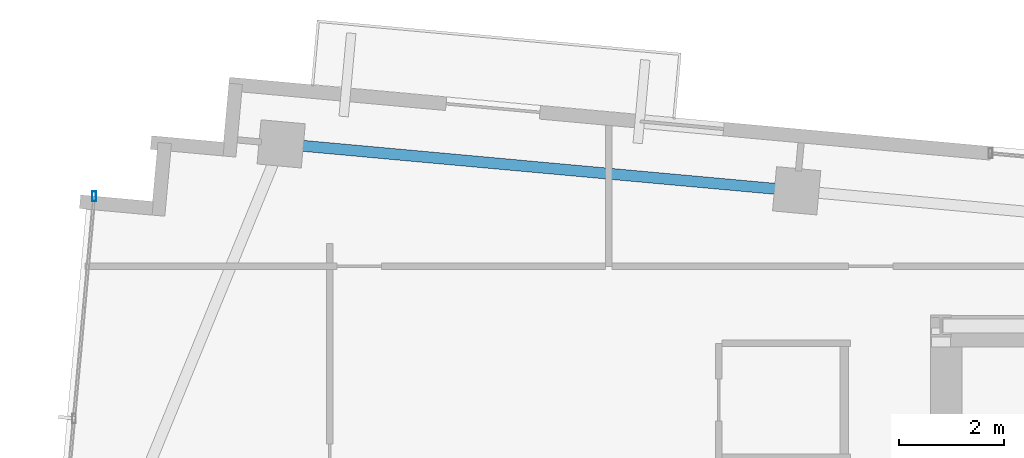
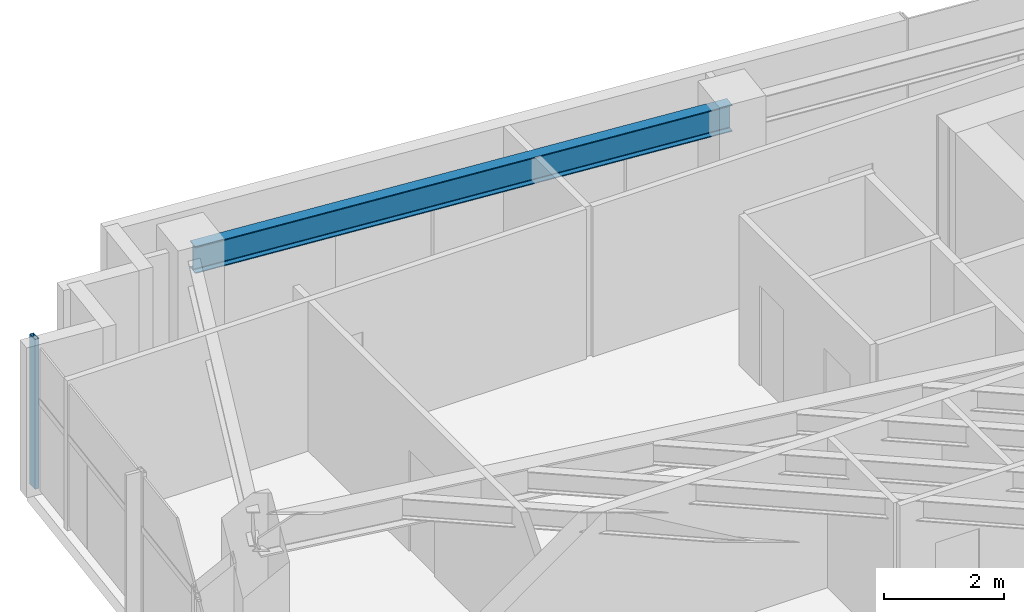
# One storey, part 9 of 22: 1 beam, 1 member, 1 element without a shape of its own.
"""IFC4 building model written with IfcOpenShell, lengths in metres."""

from ifc_helpers import new_model, si_unit, direction, frame, origin, origin_2d, place, context, subcontext, project, spatial, hollow_rectangle, i_section, extrude, source, transform, mapped, material, material_profile, profile_set, type_object, type_shapes, element, aggregate, save


model = new_model("IFC4")

# Units and contexts
model_context = context("Model", 3, precision=1e-05, world=origin(), true_north=direction((0.0, 1.0)))
body_context = subcontext(model_context, "Body", "Model", "MODEL_VIEW")
ifc_project = project(units=[si_unit("LENGTHUNIT", "METRE"), si_unit("AREAUNIT", "SQUARE_METRE"), si_unit("VOLUMEUNIT", "CUBIC_METRE"), si_unit("PLANEANGLEUNIT", "RADIAN"), si_unit("MASSUNIT", "GRAM", prefix="KILO")], contexts=[model_context])

# Site, building, storey
site_placement = place(None, origin())
site = spatial("IfcSite", under=ifc_project, at=site_placement, CompositionType="ELEMENT")
building_placement = place(site_placement, origin())
building = spatial("IfcBuilding", under=site, at=building_placement, Name="Astriad Promenade Condominiums", CompositionType="ELEMENT")
storey_placement = place(building_placement, frame((0.0, 0.0, 226.5)))
storey = spatial("IfcBuildingStorey", under=building, at=storey_placement, Name="L65", CompositionType="ELEMENT", Elevation=226.5)

# Beam
ifc_material_1 = material(Name="Steel ASTM A992 Grade 50", Category="steel")
ifc_material_profile_1 = material_profile(ifc_material_1, i_section(OverallWidth=0.210693359375, OverallDepth=0.53955078125, WebThickness=0.01171875, FlangeThickness=0.018798828125, FilletRadius=0.0166015625, at=origin_2d()), Name="W21X73")
ifc_profile_set_1 = profile_set([ifc_material_profile_1], Name="Steel ASTM A992 Grade 50")
beam_type = type_object("IfcBeamType", Name="STEEL SPANDREL BEAM W21X73", PredefinedType="SPANDREL", material=ifc_profile_set_1)
shared_shape_1 = source(origin(), body_context, "Body", "SweptSolid", [
    extrude(i_section(OverallWidth=0.210693359375, OverallDepth=0.53955078125, WebThickness=0.01171875, FlangeThickness=0.018798828125, FilletRadius=0.0166015625, at=origin_2d()), origin(), (0.0, 0.0, 1.0), 9.820068359375),
])
type_shapes(beam_type, [shared_shape_1])
beam_placement = place(storey_placement, frame((23.6005859375, 26.589111328125, 2.770263671875), z_axis=(-0.995883214993, 0.090645585088, 0.0), x_axis=(-0.090645585088, -0.995883214993, 0.0)))
element("IfcBeam", 1, at=beam_placement, inside=storey, type_object=beam_type, Name="Perimeter Spandrel Beam SP-N1-L65", PredefinedType="SPANDREL", context=body_context, shape_type="MappedRepresentation", body=[
    mapped(shared_shape_1, transform((0.0, 0.0, 0.0), scale=1.0)),
])

# Curtain wall, member
ifc_material_2 = material(Name="Anodised aluminium Black Dark Glass Unitised", Category="aluminium")
curtain_wall_type = type_object("IfcCurtainWallType", Name="CW-B5-DARK", PredefinedType="USERDEFINED", material=ifc_material_2)
curtain_wall_placement = place(storey_placement, origin())
curtain_wall = element("IfcCurtainWall", 2, at=curtain_wall_placement, inside=storey, type_object=curtain_wall_type, Name="CW-L65-W", ObjectType="UNITISED_CURTAIN_WALL", PredefinedType="USERDEFINED")
ifc_material_3 = material(Name="Anodised aluminium 6063-T6 Black", Category="aluminium")
ifc_material_profile_2 = material_profile(ifc_material_3, hollow_rectangle(XDim=0.074951171875, YDim=0.18505859375, WallThickness=0.00439453125, at=origin_2d()), Name="ALU-MUL-75X185")
ifc_profile_set_2 = profile_set([ifc_material_profile_2], Name="Anodised aluminium 6063-T6 Black")
member_type = type_object("IfcMemberType", Name="MUL-ALU-MUL-75X185", PredefinedType="MULLION", material=ifc_profile_set_2)
shared_shape_2 = source(origin(), body_context, "Body", "SweptSolid", [
    extrude(hollow_rectangle(XDim=0.074951171875, YDim=0.18505859375, WallThickness=0.00439453125, at=origin_2d()), origin(), (0.0, 0.0, 1.0), 3.0400390625),
])
type_shapes(member_type, [shared_shape_2])
member_placement = place(storey_placement, frame((10.205810546875, 26.482666015625, 0.0), z_axis=(0.0, 0.0, 1.0), x_axis=(1.0, 0.0, 0.0)))
member = element("IfcMember", 3, at=member_placement, type_object=member_type, Name="CW-L65-W-MUL-03", PredefinedType="MULLION", context=body_context, shape_type="MappedRepresentation", body=[
    mapped(shared_shape_2, transform((0.0, 0.0, 0.0), scale=1.0)),
])
aggregate(curtain_wall, [member])

save(model, "model.ifc")
